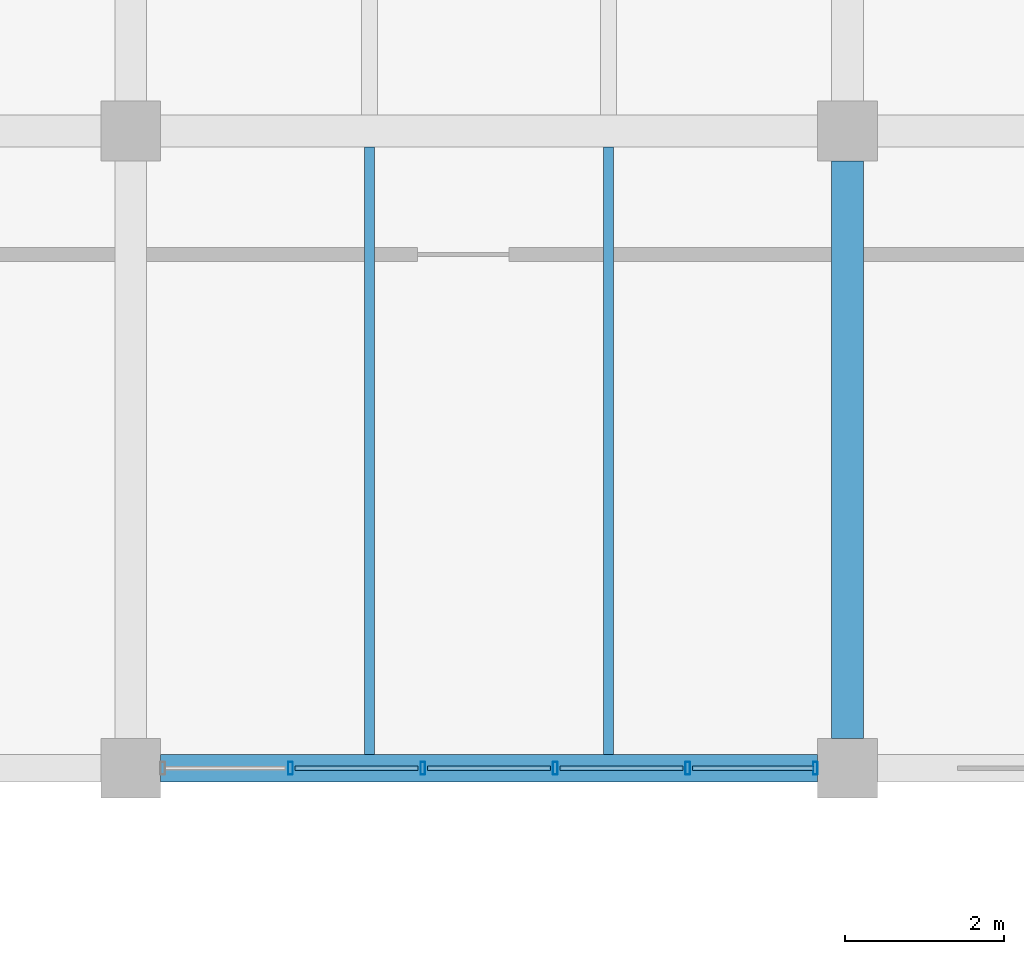
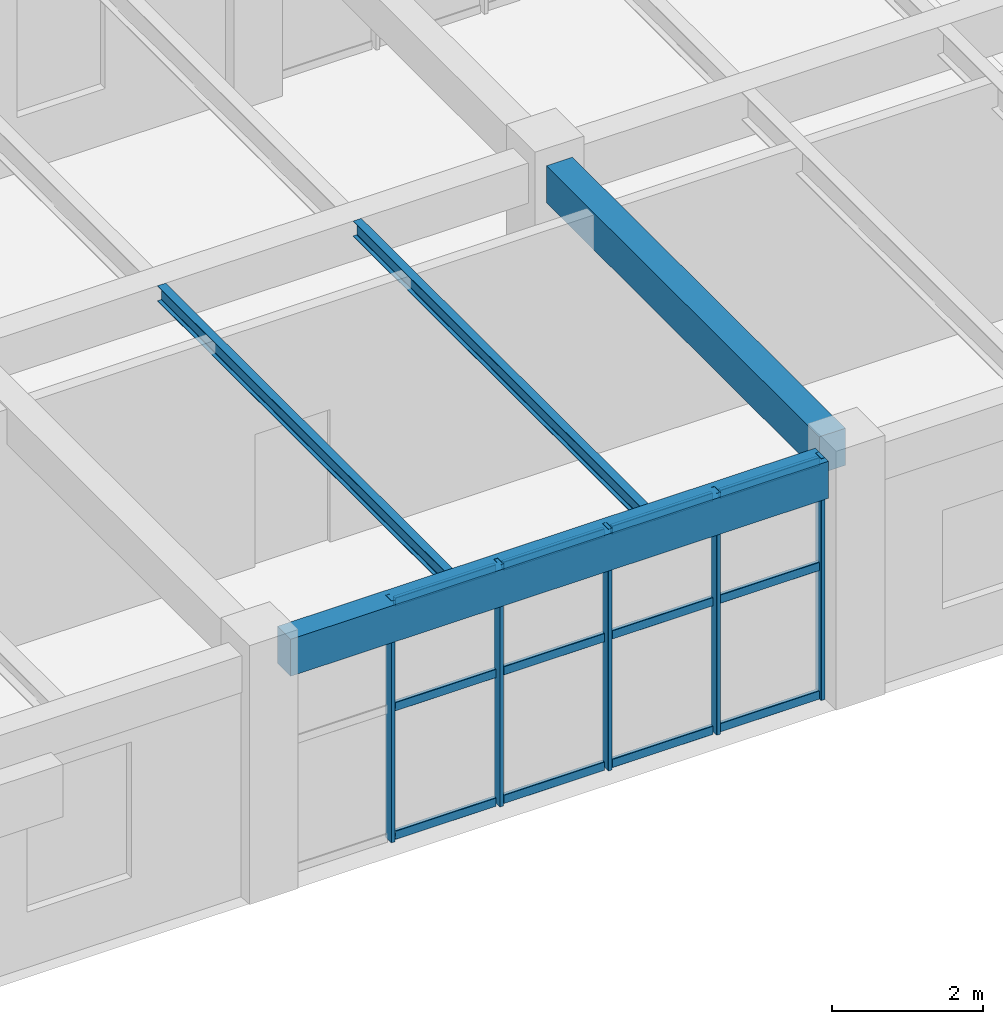
# One storey, part 102 of 148: 17 members, 4 beams, 1 element without a shape of its own.
"""IFC4 building model written with IfcOpenShell, lengths in metres."""

import ifcopenshell
import ifcopenshell.guid

model = None  # the IFC model being written
_history = None  # IfcOwnerHistory: only IFC2X3 demands one
_inside = {}  # id of a spatial element -> (the spatial element, [elements in it])
_under = {}  # id of a project, library or spatial element -> (it, [spatial elements below it])
_declared = {}  # id of a project -> (the project, [libraries it declares])
_typed = {}  # id of a type object -> (the type object, [elements of that type])
_made_of = {}  # id of a material, layer set ... -> (it, [elements and type objects made of it])


def new_model(schema):
    """Start an empty IFC model of exactly this schema.

    Asked for "IFC4X3", IfcOpenShell would pick the latest addendum, in which some entities
    have other attributes; the version numbers below select the first issue.
    IFC2X3 requires an IfcOwnerHistory on every rooted entity: one is made here for all.
    """
    global model, _history
    if schema == "IFC4X3":
        model = ifcopenshell.file(schema_version=(4, 3, 0, 0))
    else:
        model = ifcopenshell.file(schema=schema)
    _inside.clear()
    _under.clear()
    _declared.clear()
    _typed.clear()
    _made_of.clear()
    _history = None
    if model.schema == "IFC2X3":
        org = make("IfcOrganization", Name="unknown")
        user = make(
            "IfcPersonAndOrganization",
            ThePerson=make("IfcPerson", FamilyName="unknown"),
            TheOrganization=org,
        )
        app = make(
            "IfcApplication",
            ApplicationDeveloper=org,
            Version="unknown",
            ApplicationFullName="unknown",
            ApplicationIdentifier="unknown",
        )
        _history = make(
            "IfcOwnerHistory",
            OwningUser=user,
            OwningApplication=app,
            ChangeAction="ADDED",
            CreationDate=0,
        )
    return model


def make(cls, **values):
    """One entity of the class cls with the attributes given. An attribute that is None is left unset."""
    return model.create_entity(
        cls, **{name: value for name, value in values.items() if value is not None}
    )


def rooted(cls, **values):
    """An entity with a GlobalId (a new one), such as an element, a storey or a relation."""
    return make(cls, GlobalId=ifcopenshell.guid.new(), OwnerHistory=_history, **values)


def si_unit(unit_type, name, prefix=None):
    """IfcSIUnit, for example si_unit("LENGTHUNIT", "METRE", prefix="MILLI")."""
    return make("IfcSIUnit", UnitType=unit_type, Prefix=prefix, Name=name)


def derived_unit(unit_type, elements):
    """IfcDerivedUnit: a product of units, each with its exponent."""
    return make(
        "IfcDerivedUnit",
        Elements=[
            make("IfcDerivedUnitElement", Unit=unit, Exponent=power)
            for unit, power in elements
        ],
        UnitType=unit_type,
    )


def assignment(units):
    """IfcUnitAssignment: the units of a project."""
    return None if units is None else make("IfcUnitAssignment", Units=units)


def point(xyz):
    """IfcCartesianPoint."""
    return None if xyz is None else make("IfcCartesianPoint", Coordinates=xyz)


def direction(xyz):
    """IfcDirection."""
    return None if xyz is None else make("IfcDirection", DirectionRatios=xyz)


def frame(location, z_axis=None, x_axis=None):
    """IfcAxis2Placement3D, a coordinate frame: its origin and axes. An axis left out is left unset."""
    return make(
        "IfcAxis2Placement3D",
        Location=point(location),
        Axis=direction(z_axis),
        RefDirection=direction(x_axis),
    )


def frame_2d(location, x_axis=None):
    """IfcAxis2Placement2D, a coordinate frame in the plane: its origin and x axis."""
    return make(
        "IfcAxis2Placement2D", Location=point(location), RefDirection=direction(x_axis)
    )


def origin():
    """The frame at (0, 0, 0) with its axes left unset."""
    return frame((0.0, 0.0, 0.0))


def origin_2d():
    """The frame at (0, 0) in the plane with its x axis left unset."""
    return frame_2d((0.0, 0.0))


def place(relative_to, where):
    """IfcLocalPlacement: puts the frame where relative to a parent placement (None: the world)."""
    return make(
        "IfcLocalPlacement", PlacementRelTo=relative_to, RelativePlacement=where
    )


def context(
    kind, dimensions, precision=None, world=None, true_north=None, identifier=None
):
    """IfcGeometricRepresentationContext, for example the 3D "Model" context."""
    return make(
        "IfcGeometricRepresentationContext",
        ContextIdentifier=identifier,
        ContextType=kind,
        CoordinateSpaceDimension=dimensions,
        Precision=precision,
        WorldCoordinateSystem=world,
        TrueNorth=true_north,
    )


def subcontext(parent, identifier, kind, view, scale=None):
    """IfcGeometricRepresentationSubContext, for example "Body" below "Model"."""
    return make(
        "IfcGeometricRepresentationSubContext",
        ContextIdentifier=identifier,
        ContextType=kind,
        ParentContext=parent,
        TargetScale=scale,
        TargetView=view,
    )


def project(units=None, contexts=None):
    """IfcProject with its units and contexts."""
    return rooted(
        "IfcProject",
        Name="project",
        RepresentationContexts=contexts,
        UnitsInContext=assignment(units),
    )


def spatial(cls, under=None, at=None, **own):
    """A site, building, storey or space (cls), placed at a placement, below another one or the project."""
    s = rooted(cls, ObjectPlacement=at, **own)
    if under is not None:
        _under.setdefault(under.id(), (under, []))[1].append(s)
    return s


def profile(cls, at=None, kind="AREA", **sizes):
    """A parametric profile (cls). Its sizes go by their IFC names, for example OverallWidth=200.0."""
    return make(cls, ProfileType=kind, Position=at, **sizes)


def rectangle(**sizes):
    """IfcRectangleProfileDef."""
    return profile("IfcRectangleProfileDef", **sizes)


def hollow_rectangle(**sizes):
    """IfcRectangleHollowProfileDef."""
    return profile("IfcRectangleHollowProfileDef", **sizes)


def i_section(**sizes):
    """IfcIShapeProfileDef."""
    return profile("IfcIShapeProfileDef", **sizes)


def extrude(swept, where, along, depth):
    """IfcExtrudedAreaSolid: the profile swept, set in the frame where, extruded along a direction by depth."""
    return make(
        "IfcExtrudedAreaSolid",
        SweptArea=swept,
        Position=where,
        ExtrudedDirection=direction(along),
        Depth=depth,
    )


def shape(context_of_items, identifier, shape_type, items):
    """IfcShapeRepresentation: the items that make up one representation, for example the "Body"."""
    return make(
        "IfcShapeRepresentation",
        ContextOfItems=context_of_items,
        RepresentationIdentifier=identifier,
        RepresentationType=shape_type,
        Items=items,
    )


def material(Name=None, Category=None):
    """IfcMaterial."""
    return make("IfcMaterial", Name=Name, Category=Category)


def material_profile(
    of_material, cross_section, Name=None, Category=None, Priority=None
):
    """IfcMaterialProfile: a cross section and its material."""
    return make(
        "IfcMaterialProfile",
        Name=Name,
        Material=of_material,
        Profile=cross_section,
        Priority=Priority,
        Category=Category,
    )


def profile_set(profiles, Name=None, composite=None):
    """IfcMaterialProfileSet."""
    return make(
        "IfcMaterialProfileSet",
        Name=Name,
        MaterialProfiles=profiles,
        CompositeProfile=composite,
    )


def made_of(thing, what):
    """Note that an element or type object is made of a material, layer set ...; save() writes the relation."""
    if what is not None:
        _made_of.setdefault(what.id(), (what, []))[1].append(thing)
    return thing


def type_object(cls, material=None, **own):
    """A type object (cls), such as IfcWallType, which elements share."""
    return made_of(rooted(cls, **own), material)


def element(
    cls,
    number,
    at=None,
    inside=None,
    cuts=None,
    type_object=None,
    material=None,
    context=None,
    identifier="Body",
    shape_type=None,
    held_by="IfcProductDefinitionShape",
    body=None,
    shapes=None,
    **own,
):
    """One element of the class cls, such as IfcWall. Its Tag is "e" and its number.

    at: its placement. inside: the storey or other place that contains it. cuts: it is an
    opening in that element (IfcRelVoidsElement). A single representation is given by context,
    identifier, shape_type and body (its items); several are given by shapes. held_by: the class
    of the entity that holds the representations. save() writes the other relations.
    """
    e = rooted(cls, Tag="e%d" % number, ObjectPlacement=at, **own)
    if body is not None:
        shapes = [shape(context, identifier, shape_type, body)]
    if shapes is not None:
        e.Representation = make(held_by, Representations=shapes)
    if inside is not None:
        _inside.setdefault(inside.id(), (inside, []))[1].append(e)
    if cuts is not None:
        rooted(
            "IfcRelVoidsElement", RelatingBuildingElement=cuts, RelatedOpeningElement=e
        )
    if type_object is not None:
        _typed.setdefault(type_object.id(), (type_object, []))[1].append(e)
    return made_of(e, material)


def aggregate(whole, parts):
    """IfcRelAggregates: a whole, such as a stair, and the parts it consists of."""
    return rooted("IfcRelAggregates", RelatingObject=whole, RelatedObjects=parts)


def save(model, path):
    """Write the relations noted so far, then the file.

    IfcRelAggregates (storeys below a building ...), IfcRelContainedInSpatialStructure (elements
    in a storey), IfcRelDefinesByType, IfcRelAssociatesMaterial and IfcRelDeclares: one each for
    every whole, place, type object, material and project.
    """
    for whole, parts in _under.values():
        aggregate(whole, parts)
    for where, things in _inside.values():
        rooted(
            "IfcRelContainedInSpatialStructure",
            RelatedElements=things,
            RelatingStructure=where,
        )
    for kind, things in _typed.values():
        rooted("IfcRelDefinesByType", RelatedObjects=things, RelatingType=kind)
    for what, things in _made_of.values():
        rooted("IfcRelAssociatesMaterial", RelatedObjects=things, RelatingMaterial=what)
    for by, libraries in _declared.values():
        rooted("IfcRelDeclares", RelatingContext=by, RelatedDefinitions=libraries)
    model.write(path)


model = new_model("IFC4")

# Units and contexts
model_context = context("Model", 3, precision=1e-05, world=origin(), true_north=direction((0.0, 1.0)))
body_context = subcontext(model_context, "Body", "Model", "MODEL_VIEW")
ifc_project = project(units=[si_unit("LENGTHUNIT", "METRE"), si_unit("AREAUNIT", "SQUARE_METRE"), si_unit("VOLUMEUNIT", "CUBIC_METRE"), si_unit("PLANEANGLEUNIT", "RADIAN"), si_unit("MASSUNIT", "GRAM", prefix="KILO"), derived_unit("THERMALTRANSMITTANCEUNIT", [(si_unit("MASSUNIT", "GRAM", prefix="KILO"), 1), (si_unit("TIMEUNIT", "SECOND"), -3), (si_unit("THERMODYNAMICTEMPERATUREUNIT", "KELVIN"), -1)])], contexts=[model_context])

# Site, building, storey
site_placement = place(None, origin())
site = spatial("IfcSite", under=ifc_project, at=site_placement, CompositionType="ELEMENT")
building_placement = place(site_placement, origin())
building = spatial("IfcBuilding", under=site, at=building_placement, Name="Zhenchuan Archway Interchange", CompositionType="ELEMENT")
storey_placement = place(building_placement, frame((0.0, 0.0, 10.199951171875)))
storey = spatial("IfcBuildingStorey", under=building, at=storey_placement, Name="L02", CompositionType="ELEMENT", Elevation=10.199951171875)

# Beam
ifc_material_1 = material(Name="Concrete C40", Category="concrete")
ifc_material_profile_1 = material_profile(ifc_material_1, rectangle(XDim=0.39990234375, YDim=0.60009765625, at=origin_2d()), Name="RC 400x600")
ifc_profile_set_1 = profile_set([ifc_material_profile_1], Name="Concrete C40")
beam_type_1 = type_object("IfcBeamType", Name="BM_RC_400x600", PredefinedType="BEAM", material=ifc_profile_set_1)
beam_1_placement = place(storey_placement, frame((135.0, 88.375, 3.6201171875), z_axis=(0.0, 1.0, 0.0), x_axis=(-1.0, 0.0, 0.0)))
element("IfcBeam", 1, at=beam_1_placement, inside=storey, type_object=beam_type_1, Name="Beam 16:M-N (L02)", PredefinedType="BEAM", context=body_context, shape_type="SweptSolid", body=[
    extrude(rectangle(XDim=0.39990234375, YDim=0.60009765625, at=origin_2d()), origin(), (0.0, 0.0, 1.0), 7.25),
])

# Curtain wall, members
ifc_material_2 = material(Name="Anodised Aluminium", Category="aluminium")
curtain_wall_type = type_object("IfcCurtainWallType", Name="CW_UNIT_2", PredefinedType="NOTDEFINED", material=ifc_material_2)
curtain_wall_placement = place(storey_placement, origin())
curtain_wall = element("IfcCurtainWall", 2, at=curtain_wall_placement, inside=storey, type_object=curtain_wall_type, Name="Unitised curtain wall CW:L02:145", PredefinedType="NOTDEFINED")
ifc_material_profile_2 = material_profile(ifc_material_2, hollow_rectangle(XDim=0.06005859375, YDim=0.159912109375, WallThickness=0.00390625, InnerFilletRadius=0.00390625, OuterFilletRadius=0.008056640625, at=origin_2d()), Name="ALU 160x60x4")
ifc_profile_set_2 = profile_set([ifc_material_profile_2], Name="Anodised Aluminium")
member_type_1 = type_object("IfcMemberType", Name="CW_MUL_150", PredefinedType="MULLION", material=ifc_profile_set_2)
member_1_placement = place(storey_placement, frame((134.596923828125, 88.0, 0.0), z_axis=(0.0, 0.0, 1.0), x_axis=(1.0, 0.0, 0.0)))
member_1 = element("IfcMember", 3, at=member_1_placement, type_object=member_type_1, Name="CW:L02:145 mullion 0", PredefinedType="MULLION", context=body_context, shape_type="SweptSolid", body=[
    extrude(hollow_rectangle(XDim=0.06005859375, YDim=0.159912109375, WallThickness=0.00390625, InnerFilletRadius=0.00390625, OuterFilletRadius=0.008056640625, at=origin_2d()), origin(), (0.0, 0.0, 1.0), 3.920166015625),
])
member_2_placement = place(storey_placement, frame((132.994140625, 88.0, 0.0), z_axis=(0.0, 0.0, 1.0), x_axis=(1.0, 0.0, 0.0)))
member_2 = element("IfcMember", 4, at=member_2_placement, type_object=member_type_1, Name="CW:L02:145 mullion 1", PredefinedType="MULLION", context=body_context, shape_type="SweptSolid", body=[
    extrude(hollow_rectangle(XDim=0.06005859375, YDim=0.159912109375, WallThickness=0.00390625, InnerFilletRadius=0.00390625, OuterFilletRadius=0.008056640625, at=origin_2d()), origin(), (0.0, 0.0, 1.0), 3.920166015625),
])
member_3_placement = place(storey_placement, frame((131.331298828125, 88.0, 0.0), z_axis=(0.0, 0.0, 1.0), x_axis=(1.0, 0.0, 0.0)))
member_3 = element("IfcMember", 5, at=member_3_placement, type_object=member_type_1, Name="CW:L02:145 mullion 2", PredefinedType="MULLION", context=body_context, shape_type="SweptSolid", body=[
    extrude(hollow_rectangle(XDim=0.06005859375, YDim=0.159912109375, WallThickness=0.00390625, InnerFilletRadius=0.00390625, OuterFilletRadius=0.008056640625, at=origin_2d()), origin(), (0.0, 0.0, 1.0), 3.920166015625),
])
member_4_placement = place(storey_placement, frame((129.668701171875, 88.0, 0.0), z_axis=(0.0, 0.0, 1.0), x_axis=(1.0, 0.0, 0.0)))
member_4 = element("IfcMember", 6, at=member_4_placement, type_object=member_type_1, Name="CW:L02:145 mullion 3", PredefinedType="MULLION", context=body_context, shape_type="SweptSolid", body=[
    extrude(hollow_rectangle(XDim=0.06005859375, YDim=0.159912109375, WallThickness=0.00390625, InnerFilletRadius=0.00390625, OuterFilletRadius=0.008056640625, at=origin_2d()), origin(), (0.0, 0.0, 1.0), 3.920166015625),
])
member_5_placement = place(storey_placement, frame((128.005859375, 88.0, 0.0), z_axis=(0.0, 0.0, 1.0), x_axis=(1.0, 0.0, 0.0)))
member_5 = element("IfcMember", 7, at=member_5_placement, type_object=member_type_1, Name="CW:L02:145 mullion 4", PredefinedType="MULLION", context=body_context, shape_type="SweptSolid", body=[
    extrude(hollow_rectangle(XDim=0.06005859375, YDim=0.159912109375, WallThickness=0.00390625, InnerFilletRadius=0.00390625, OuterFilletRadius=0.008056640625, at=origin_2d()), origin(), (0.0, 0.0, 1.0), 3.920166015625),
])
ifc_material_profile_3 = material_profile(ifc_material_2, hollow_rectangle(XDim=0.06005859375, YDim=0.139892578125, WallThickness=0.00341796875, InnerFilletRadius=0.00341796875, OuterFilletRadius=0.007080078125, at=origin_2d()), Name="ALU 140x60x3.5")
ifc_profile_set_3 = profile_set([ifc_material_profile_3], Name="Anodised Aluminium")
member_type_2 = type_object("IfcMemberType", Name="CW_TRN_140", PredefinedType="USERDEFINED", material=ifc_profile_set_3)
member_6_placement = place(storey_placement, frame((134.576904296875, 88.0, 0.06005859375), z_axis=(-1.0, 0.0, 0.0), x_axis=(0.0, -1.0, 0.0)))
member_6 = element("IfcMember", 8, at=member_6_placement, type_object=member_type_2, Name="CW:L02:145 transom 0-1", ObjectType="TRANSOM", PredefinedType="USERDEFINED", context=body_context, shape_type="SweptSolid", body=[
    extrude(hollow_rectangle(XDim=0.06005859375, YDim=0.139892578125, WallThickness=0.00341796875, InnerFilletRadius=0.00341796875, OuterFilletRadius=0.007080078125, at=origin_2d()), origin(), (0.0, 0.0, 1.0), 1.522705078125),
])
member_7_placement = place(storey_placement, frame((134.576904296875, 88.0, 2.14501953125), z_axis=(-1.0, 0.0, 0.0), x_axis=(0.0, -1.0, 0.0)))
member_7 = element("IfcMember", 9, at=member_7_placement, type_object=member_type_2, Name="CW:L02:145 transom 0-2", ObjectType="TRANSOM", PredefinedType="USERDEFINED", context=body_context, shape_type="SweptSolid", body=[
    extrude(hollow_rectangle(XDim=0.06005859375, YDim=0.139892578125, WallThickness=0.00341796875, InnerFilletRadius=0.00341796875, OuterFilletRadius=0.007080078125, at=origin_2d()), origin(), (0.0, 0.0, 1.0), 1.522705078125),
])
member_8_placement = place(storey_placement, frame((134.576904296875, 88.0, 3.840087890625), z_axis=(-1.0, 0.0, 0.0), x_axis=(0.0, -1.0, 0.0)))
member_8 = element("IfcMember", 10, at=member_8_placement, type_object=member_type_2, Name="CW:L02:145 transom 0-3", ObjectType="TRANSOM", PredefinedType="USERDEFINED", context=body_context, shape_type="SweptSolid", body=[
    extrude(hollow_rectangle(XDim=0.06005859375, YDim=0.139892578125, WallThickness=0.00341796875, InnerFilletRadius=0.00341796875, OuterFilletRadius=0.007080078125, at=origin_2d()), origin(), (0.0, 0.0, 1.0), 1.522705078125),
])
member_9_placement = place(storey_placement, frame((132.93408203125, 88.0, 0.06005859375), z_axis=(-1.0, 0.0, 0.0), x_axis=(0.0, -1.0, 0.0)))
member_9 = element("IfcMember", 11, at=member_9_placement, type_object=member_type_2, Name="CW:L02:145 transom 1-1", ObjectType="TRANSOM", PredefinedType="USERDEFINED", context=body_context, shape_type="SweptSolid", body=[
    extrude(hollow_rectangle(XDim=0.06005859375, YDim=0.139892578125, WallThickness=0.00341796875, InnerFilletRadius=0.00341796875, OuterFilletRadius=0.007080078125, at=origin_2d()), origin(), (0.0, 0.0, 1.0), 1.542724609375),
])
member_10_placement = place(storey_placement, frame((132.93408203125, 88.0, 2.14501953125), z_axis=(-1.0, 0.0, 0.0), x_axis=(0.0, -1.0, 0.0)))
member_10 = element("IfcMember", 12, at=member_10_placement, type_object=member_type_2, Name="CW:L02:145 transom 1-2", ObjectType="TRANSOM", PredefinedType="USERDEFINED", context=body_context, shape_type="SweptSolid", body=[
    extrude(hollow_rectangle(XDim=0.06005859375, YDim=0.139892578125, WallThickness=0.00341796875, InnerFilletRadius=0.00341796875, OuterFilletRadius=0.007080078125, at=origin_2d()), origin(), (0.0, 0.0, 1.0), 1.542724609375),
])
member_11_placement = place(storey_placement, frame((132.93408203125, 88.0, 3.840087890625), z_axis=(-1.0, 0.0, 0.0), x_axis=(0.0, -1.0, 0.0)))
member_11 = element("IfcMember", 13, at=member_11_placement, type_object=member_type_2, Name="CW:L02:145 transom 1-3", ObjectType="TRANSOM", PredefinedType="USERDEFINED", context=body_context, shape_type="SweptSolid", body=[
    extrude(hollow_rectangle(XDim=0.06005859375, YDim=0.139892578125, WallThickness=0.00341796875, InnerFilletRadius=0.00341796875, OuterFilletRadius=0.007080078125, at=origin_2d()), origin(), (0.0, 0.0, 1.0), 1.542724609375),
])
member_12_placement = place(storey_placement, frame((131.271484375, 88.0, 0.06005859375), z_axis=(-1.0, 0.0, 0.0), x_axis=(0.0, -1.0, 0.0)))
member_12 = element("IfcMember", 14, at=member_12_placement, type_object=member_type_2, Name="CW:L02:145 transom 2-1", ObjectType="TRANSOM", PredefinedType="USERDEFINED", context=body_context, shape_type="SweptSolid", body=[
    extrude(hollow_rectangle(XDim=0.06005859375, YDim=0.139892578125, WallThickness=0.00341796875, InnerFilletRadius=0.00341796875, OuterFilletRadius=0.007080078125, at=origin_2d()), origin(), (0.0, 0.0, 1.0), 1.54296875),
])
member_13_placement = place(storey_placement, frame((131.271484375, 88.0, 2.14501953125), z_axis=(-1.0, 0.0, 0.0), x_axis=(0.0, -1.0, 0.0)))
member_13 = element("IfcMember", 15, at=member_13_placement, type_object=member_type_2, Name="CW:L02:145 transom 2-2", ObjectType="TRANSOM", PredefinedType="USERDEFINED", context=body_context, shape_type="SweptSolid", body=[
    extrude(hollow_rectangle(XDim=0.06005859375, YDim=0.139892578125, WallThickness=0.00341796875, InnerFilletRadius=0.00341796875, OuterFilletRadius=0.007080078125, at=origin_2d()), origin(), (0.0, 0.0, 1.0), 1.54296875),
])
member_14_placement = place(storey_placement, frame((131.271484375, 88.0, 3.840087890625), z_axis=(-1.0, 0.0, 0.0), x_axis=(0.0, -1.0, 0.0)))
member_14 = element("IfcMember", 16, at=member_14_placement, type_object=member_type_2, Name="CW:L02:145 transom 2-3", ObjectType="TRANSOM", PredefinedType="USERDEFINED", context=body_context, shape_type="SweptSolid", body=[
    extrude(hollow_rectangle(XDim=0.06005859375, YDim=0.139892578125, WallThickness=0.00341796875, InnerFilletRadius=0.00341796875, OuterFilletRadius=0.007080078125, at=origin_2d()), origin(), (0.0, 0.0, 1.0), 1.54296875),
])
member_15_placement = place(storey_placement, frame((129.608642578125, 88.0, 0.06005859375), z_axis=(-1.0, 0.0, 0.0), x_axis=(0.0, -1.0, 0.0)))
member_15 = element("IfcMember", 17, at=member_15_placement, type_object=member_type_2, Name="CW:L02:145 transom 3-1", ObjectType="TRANSOM", PredefinedType="USERDEFINED", context=body_context, shape_type="SweptSolid", body=[
    extrude(hollow_rectangle(XDim=0.06005859375, YDim=0.139892578125, WallThickness=0.00341796875, InnerFilletRadius=0.00341796875, OuterFilletRadius=0.007080078125, at=origin_2d()), origin(), (0.0, 0.0, 1.0), 1.542724609375),
])
member_16_placement = place(storey_placement, frame((129.608642578125, 88.0, 2.14501953125), z_axis=(-1.0, 0.0, 0.0), x_axis=(0.0, -1.0, 0.0)))
member_16 = element("IfcMember", 18, at=member_16_placement, type_object=member_type_2, Name="CW:L02:145 transom 3-2", ObjectType="TRANSOM", PredefinedType="USERDEFINED", context=body_context, shape_type="SweptSolid", body=[
    extrude(hollow_rectangle(XDim=0.06005859375, YDim=0.139892578125, WallThickness=0.00341796875, InnerFilletRadius=0.00341796875, OuterFilletRadius=0.007080078125, at=origin_2d()), origin(), (0.0, 0.0, 1.0), 1.542724609375),
])
member_17_placement = place(storey_placement, frame((129.608642578125, 88.0, 3.840087890625), z_axis=(-1.0, 0.0, 0.0), x_axis=(0.0, -1.0, 0.0)))
member_17 = element("IfcMember", 19, at=member_17_placement, type_object=member_type_2, Name="CW:L02:145 transom 3-3", ObjectType="TRANSOM", PredefinedType="USERDEFINED", context=body_context, shape_type="SweptSolid", body=[
    extrude(hollow_rectangle(XDim=0.06005859375, YDim=0.139892578125, WallThickness=0.00341796875, InnerFilletRadius=0.00341796875, OuterFilletRadius=0.007080078125, at=origin_2d()), origin(), (0.0, 0.0, 1.0), 1.542724609375),
])
aggregate(curtain_wall, [member_1, member_2, member_3, member_4, member_5, member_6, member_7, member_8, member_9, member_10, member_11, member_12, member_13, member_14, member_15, member_16, member_17])

# Beams
ifc_material_3 = material(Name="Steel Q355", Category="steel")
ifc_material_profile_4 = material_profile(ifc_material_3, i_section(OverallWidth=0.125, OverallDepth=0.25, WebThickness=0.006103515625, FlangeThickness=0.009033203125, FilletRadius=0.011962890625, at=origin_2d()), Name="HN 250x125")
ifc_profile_set_4 = profile_set([ifc_material_profile_4], Name="Steel Q355")
beam_type_2 = type_object("IfcBeamType", Name="JST_STL_HN250", PredefinedType="JOIST", material=ifc_profile_set_4)
for number, where, z_axis, x_axis, name in (
    (20, (129.0, 88.175048828125, 3.795166015625), (0.0, 1.0, 0.0), (-1.0, 0.0, 0.0), "Secondary joist 15-16/M-N #1 (L02)"),
    (21, (132.0, 88.175048828125, 3.795166015625), (0.0, 1.0, 0.0), (-1.0, 0.0, 0.0), "Secondary joist 15-16/M-N #2 (L02)"),
):
    element("IfcBeam", number, at=place(storey_placement, frame(where, z_axis=z_axis, x_axis=x_axis)), inside=storey, type_object=beam_type_2, Name=name, PredefinedType="JOIST", context=body_context, shape_type="SweptSolid", body=[
        extrude(i_section(OverallWidth=0.125, OverallDepth=0.25, WebThickness=0.006103515625, FlangeThickness=0.009033203125, FilletRadius=0.011962890625, at=origin_2d()), origin(), (0.0, 0.0, 1.0), 7.625),
    ])
ifc_material_profile_5 = material_profile(ifc_material_1, rectangle(XDim=0.35009765625, YDim=0.60009765625, at=origin_2d()), Name="RC 350x600")
ifc_profile_set_5 = profile_set([ifc_material_profile_5], Name="Concrete C40")
beam_type_3 = type_object("IfcBeamType", Name="SP_RC_350x600", PredefinedType="SPANDREL", material=ifc_profile_set_5)
beam_2_placement = place(storey_placement, frame((126.375, 88.0, 3.6201171875), z_axis=(1.0, 0.0, 0.0), x_axis=(0.0, 1.0, 0.0)))
element("IfcBeam", 22, at=beam_2_placement, inside=storey, type_object=beam_type_3, Name="Beam M:15-16 (L02)", PredefinedType="SPANDREL", context=body_context, shape_type="SweptSolid", body=[
    extrude(rectangle(XDim=0.35009765625, YDim=0.60009765625, at=origin_2d()), origin(), (0.0, 0.0, 1.0), 8.25),
])

save(model, "model.ifc")
